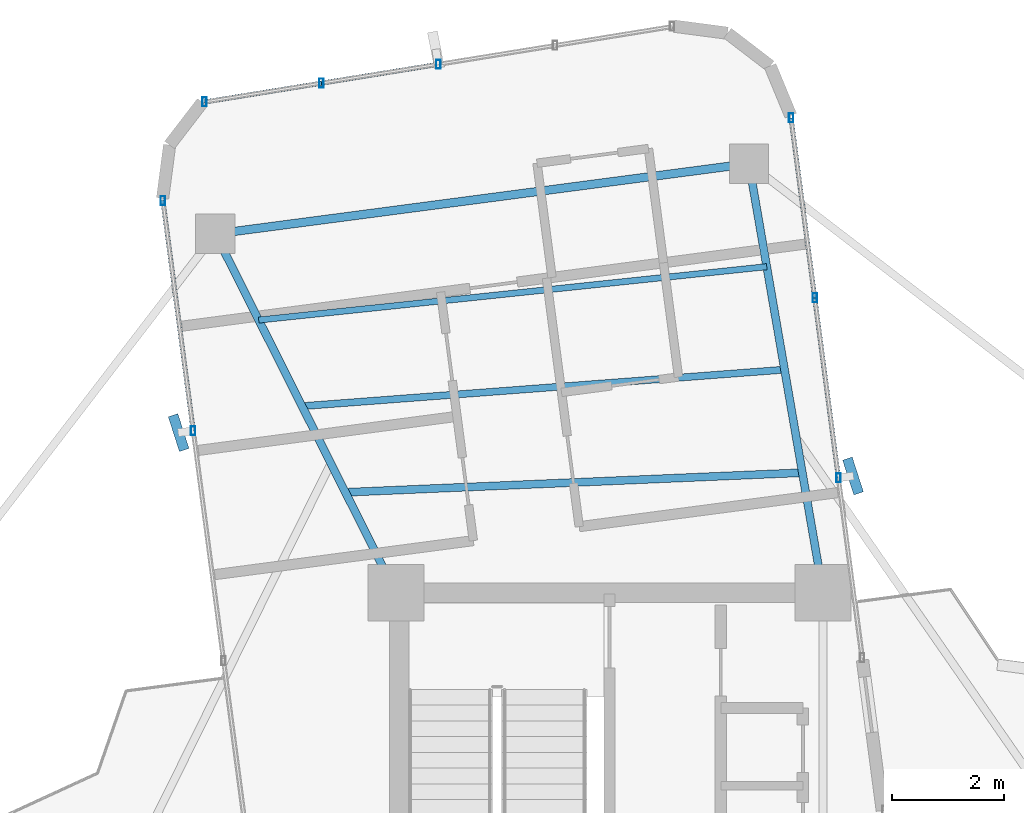
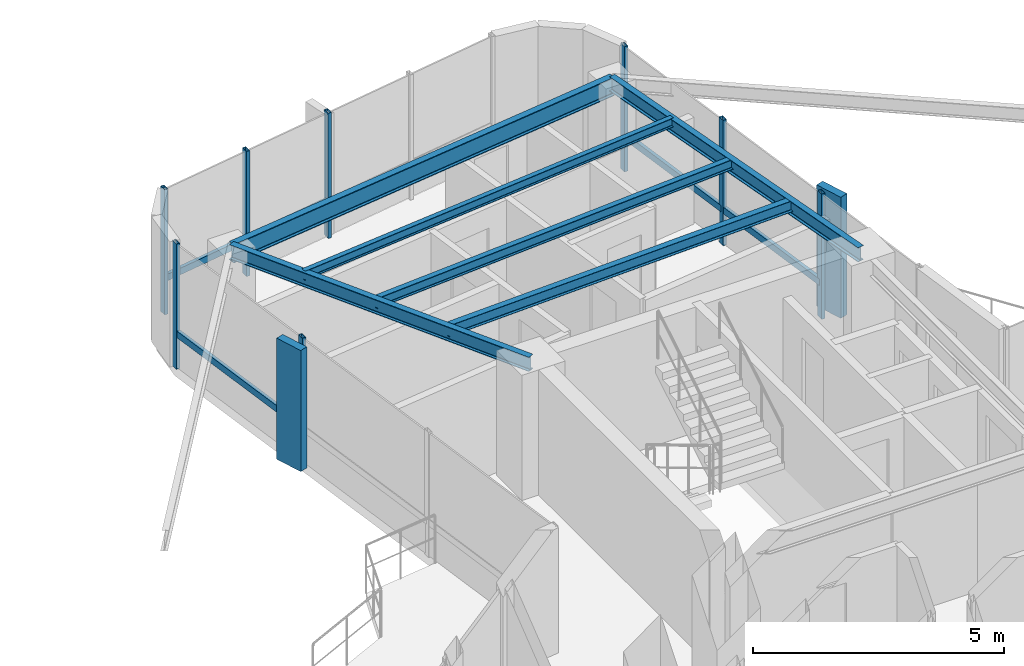
# One storey, part 14 of 23: 15 members, 6 beams, 3 elements without a shape of their own.
"""IFC4 building model written with IfcOpenShell, lengths in metres."""

from ifc_helpers import new_model, si_unit, direction, frame, origin, origin_2d, place, context, subcontext, project, spatial, rectangle, hollow_rectangle, i_section, extrude, source, transform, mapped, material, material_profile, profile_set, type_object, element, aggregate, save


model = new_model("IFC4")

# Units and contexts
model_context = context("Model", 3, precision=1e-05, world=origin(), true_north=direction((0.0, 1.0)))
body_context = subcontext(model_context, "Body", "Model", "MODEL_VIEW")
ifc_project = project(units=[si_unit("LENGTHUNIT", "METRE"), si_unit("AREAUNIT", "SQUARE_METRE"), si_unit("VOLUMEUNIT", "CUBIC_METRE"), si_unit("PLANEANGLEUNIT", "RADIAN"), si_unit("MASSUNIT", "GRAM", prefix="KILO")], contexts=[model_context])

# Site, building, storey
site_placement = place(None, origin())
site = spatial("IfcSite", under=ifc_project, at=site_placement, CompositionType="ELEMENT")
building_placement = place(site_placement, origin())
building = spatial("IfcBuilding", under=site, at=building_placement, Name="Sahyath Konkavel Grand Hotel", CompositionType="ELEMENT")
storey_placement = place(building_placement, frame((0.0, 0.0, 226.60009765625)))
storey = spatial("IfcBuildingStorey", under=building, at=storey_placement, Name="L63", CompositionType="ELEMENT", Elevation=226.60009765625)

# Beams
ifc_material_1 = material(Name="Steel E350", Category="steel")
ifc_material_profile_1 = material_profile(ifc_material_1, i_section(OverallWidth=0.139892578125, OverallDepth=0.35009765625, WebThickness=0.008056640625, FlangeThickness=0.01416015625, FilletRadius=0.013916015625, at=origin_2d()), Name="ISMB 350")
ifc_profile_set_1 = profile_set([ifc_material_profile_1], Name="Steel E350")
beam_type_1 = type_object("IfcBeamType", Name="BM-ISMB350", PredefinedType="BEAM", material=ifc_profile_set_1)
shared_shape_1 = source(origin(), body_context, "Body", "SweptSolid", [
    extrude(i_section(OverallWidth=0.139892578125, OverallDepth=0.35009765625, WebThickness=0.008056640625, FlangeThickness=0.01416015625, FilletRadius=0.013916015625, at=origin_2d()), origin(), (0.0, 0.0, 1.0), 7.74951171875),
])
beam_1_placement = place(storey_placement, frame((3.800048828125, 10.199951171875, 2.875), z_axis=(-0.170184370134, 0.985412238691, 0.0), x_axis=(-0.985412238691, -0.170184370134, 0.0)))
element("IfcBeam", 1, at=beam_1_placement, inside=storey, type_object=beam_type_1, Name="L63 Cruciform Radial Girder NA", PredefinedType="BEAM", context=body_context, shape_type="MappedRepresentation", body=[
    mapped(shared_shape_1, transform((0.0, 0.0, 0.0), scale=1.0)),
])
shared_shape_2 = source(origin(), body_context, "Body", "SweptSolid", [
    extrude(i_section(OverallWidth=0.139892578125, OverallDepth=0.35009765625, WebThickness=0.008056640625, FlangeThickness=0.01416015625, FilletRadius=0.013916015625, at=origin_2d()), origin(), (0.0, 0.0, 1.0), 7.149169921875),
])
beam_2_placement = place(storey_placement, frame((-3.800048828125, 10.199951171875, 2.875), z_axis=(-0.449411491325, 0.893324863342, 0.0), x_axis=(-0.893324863342, -0.449411491325, 0.0)))
element("IfcBeam", 2, at=beam_2_placement, inside=storey, type_object=beam_type_1, Name="L63 Cruciform Radial Girder NB", PredefinedType="BEAM", context=body_context, shape_type="MappedRepresentation", body=[
    mapped(shared_shape_2, transform((0.0, 0.0, 0.0), scale=1.0)),
])
ifc_material_profile_2 = material_profile(ifc_material_1, i_section(OverallWidth=0.14990234375, OverallDepth=0.449951171875, WebThickness=0.009521484375, FlangeThickness=0.017333984375, FilletRadius=0.014892578125, at=origin_2d()), Name="ISMB 450")
ifc_profile_set_2 = profile_set([ifc_material_profile_2], Name="Steel E350")
beam_type_2 = type_object("IfcBeamType", Name="BM-ISMB450", PredefinedType="BEAM", material=ifc_profile_set_2)
shared_shape_3 = source(origin(), body_context, "Body", "SweptSolid", [
    extrude(i_section(OverallWidth=0.14990234375, OverallDepth=0.449951171875, WebThickness=0.009521484375, FlangeThickness=0.017333984375, FilletRadius=0.014892578125, at=origin_2d()), origin(), (0.0, 0.0, 1.0), 9.576171875),
])
beam_3_placement = place(storey_placement, frame((2.481201171875, 17.83642578125, 2.824951171875), z_axis=(-0.991443879237, -0.13053365207, 0.0), x_axis=(0.13053365207, -0.991443879237, 0.0)))
element("IfcBeam", 3, at=beam_3_placement, inside=storey, type_object=beam_type_2, Name="L63 Wing Tip Edge Beam N", PredefinedType="BEAM", context=body_context, shape_type="MappedRepresentation", body=[
    mapped(shared_shape_3, transform((0.0, 0.0, 0.0), scale=1.0)),
])
ifc_material_profile_3 = material_profile(ifc_material_1, i_section(OverallWidth=0.139892578125, OverallDepth=0.27490234375, WebThickness=0.00634765625, FlangeThickness=0.0087890625, FilletRadius=0.012939453125, at=origin_2d()), Name="ISLB 275")
ifc_profile_set_3 = profile_set([ifc_material_profile_3], Name="Steel E350")
beam_type_3 = type_object("IfcBeamType", Name="BM-ISLB275", PredefinedType="BEAM", material=ifc_profile_set_3)
shared_shape_4 = source(origin(), body_context, "Body", "SweptSolid", [
    extrude(i_section(OverallWidth=0.139892578125, OverallDepth=0.27490234375, WebThickness=0.00634765625, FlangeThickness=0.0087890625, FilletRadius=0.012939453125, at=origin_2d()), origin(), (0.0, 0.0, 1.0), 8.137939453125),
])
beam_4_placement = place(storey_placement, frame((3.4306640625, 12.338134765625, 2.912353515625), z_axis=(-0.999075473951, -0.042990665851, 0.0), x_axis=(0.042990665851, -0.999075473951, 0.0)))
element("IfcBeam", 4, at=beam_4_placement, inside=storey, type_object=beam_type_3, Name="L63 Secondary Floor Beam N-1", PredefinedType="BEAM", context=body_context, shape_type="MappedRepresentation", body=[
    mapped(shared_shape_4, transform((0.0, 0.0, 0.0), scale=1.0)),
])
ifc_material_profile_4 = material_profile(ifc_material_1, i_section(OverallWidth=0.125, OverallDepth=0.25, WebThickness=0.0068359375, FlangeThickness=0.012451171875, FilletRadius=0.012939453125, at=origin_2d()), Name="ISMB 250")
ifc_profile_set_4 = profile_set([ifc_material_profile_4], Name="Steel E350")
beam_type_4 = type_object("IfcBeamType", Name="BM-ISMB250", PredefinedType="BEAM", material=ifc_profile_set_4)
shared_shape_5 = source(origin(), body_context, "Body", "SweptSolid", [
    extrude(i_section(OverallWidth=0.125, OverallDepth=0.25, WebThickness=0.0068359375, FlangeThickness=0.012451171875, FilletRadius=0.012939453125, at=origin_2d()), origin(), (0.0, 0.0, 1.0), 8.609619140625),
])
beam_5_placement = place(storey_placement, frame((3.1142578125, 14.1708984375, 2.9248046875), z_axis=(-0.997146829077, -0.075486430981, 0.0), x_axis=(0.075486430981, -0.997146829077, 0.0)))
element("IfcBeam", 5, at=beam_5_placement, inside=storey, type_object=beam_type_4, Name="L63 Secondary Floor Beam N-2", PredefinedType="BEAM", context=body_context, shape_type="MappedRepresentation", body=[
    mapped(shared_shape_5, transform((0.0, 0.0, 0.0), scale=1.0)),
])
ifc_material_profile_5 = material_profile(ifc_material_1, i_section(OverallWidth=0.110107421875, OverallDepth=0.22509765625, WebThickness=0.006591796875, FlangeThickness=0.01171875, FilletRadius=0.011962890625, at=origin_2d()), Name="ISMB 225")
ifc_profile_set_5 = profile_set([ifc_material_profile_5], Name="Steel E350")
beam_type_5 = type_object("IfcBeamType", Name="BM-ISMB225", PredefinedType="BEAM", material=ifc_profile_set_5)
shared_shape_6 = source(origin(), body_context, "Body", "SweptSolid", [
    extrude(i_section(OverallWidth=0.110107421875, OverallDepth=0.22509765625, WebThickness=0.006591796875, FlangeThickness=0.01171875, FilletRadius=0.011962890625, at=origin_2d()), origin(), (0.0, 0.0, 1.0), 9.08935546875),
])
beam_6_placement = place(storey_placement, frame((2.797607421875, 16.003662109375, 2.9375), z_axis=(-0.99452354105, -0.104512804468, 0.0), x_axis=(0.104512804468, -0.99452354105, 0.0)))
element("IfcBeam", 6, at=beam_6_placement, inside=storey, type_object=beam_type_5, Name="L63 Secondary Floor Beam N-3", PredefinedType="BEAM", context=body_context, shape_type="MappedRepresentation", body=[
    mapped(shared_shape_6, transform((0.0, 0.0, 0.0), scale=1.0)),
])

# Curtain wall, members
ifc_material_2 = material(Name="Anodised Bronze Aluminium & Low-E Glazing", Category="aluminium")
curtain_wall_type = type_object("IfcCurtainWallType", Name="CW-ZONE4", PredefinedType="NOTDEFINED", material=ifc_material_2)
curtain_wall_1_placement = place(storey_placement, origin())
curtain_wall_1 = element("IfcCurtainWall", 7, at=curtain_wall_1_placement, inside=storey, type_object=curtain_wall_type, Name="L63 Unitised Curtain Wall F8", PredefinedType="NOTDEFINED")
ifc_material_3 = material(Name="Anodised Bronze Aluminium", Category="aluminium")
ifc_material_profile_6 = material_profile(ifc_material_3, hollow_rectangle(XDim=0.080078125, YDim=0.159912109375, WallThickness=0.006103515625, at=origin_2d()), Name="RHS 160x80x6")
ifc_profile_set_6 = profile_set([ifc_material_profile_6], Name="Anodised Bronze Aluminium")
member_type_1 = type_object("IfcMemberType", Name="CW-MUL-160", PredefinedType="MULLION", material=ifc_profile_set_6)
shared_shape_7 = source(origin(), body_context, "Body", "SweptSolid", [
    extrude(hollow_rectangle(XDim=0.080078125, YDim=0.159912109375, WallThickness=0.006103515625, at=origin_2d()), origin(), (0.0, 0.0, 1.0), 3.0498046875),
])
member_1_placement = place(storey_placement, frame((4.07470703125, 12.245361328125, 0.0), z_axis=(0.0, 0.0, 1.0), x_axis=(1.0, 0.0, 0.0)))
member_1 = element("IfcMember", 8, at=member_1_placement, type_object=member_type_1, Name="L63 Curtain Wall Mullion F8-1", PredefinedType="MULLION", context=body_context, shape_type="MappedRepresentation", body=[
    mapped(shared_shape_7, transform((0.0, 0.0, 0.0), scale=1.0)),
])
member_2_placement = place(storey_placement, frame((3.65283203125, 15.4482421875, 0.0), z_axis=(0.0, 0.0, 1.0), x_axis=(1.0, 0.0, 0.0)))
member_2 = element("IfcMember", 9, at=member_2_placement, type_object=member_type_1, Name="L63 Curtain Wall Mullion F8-2", PredefinedType="MULLION", context=body_context, shape_type="MappedRepresentation", body=[
    mapped(shared_shape_7, transform((0.0, 0.0, 0.0), scale=1.0)),
])
member_3_placement = place(storey_placement, frame((3.231201171875, 18.6513671875, 0.0), z_axis=(0.0, 0.0, 1.0), x_axis=(1.0, 0.0, 0.0)))
member_3 = element("IfcMember", 10, at=member_3_placement, type_object=member_type_1, Name="L63 Curtain Wall Mullion F8-3", PredefinedType="MULLION", context=body_context, shape_type="MappedRepresentation", body=[
    mapped(shared_shape_7, transform((0.0, 0.0, 0.0), scale=1.0)),
])

curtain_wall_2_placement = place(storey_placement, origin())
curtain_wall_2 = element("IfcCurtainWall", 11, at=curtain_wall_2_placement, inside=storey, type_object=curtain_wall_type, Name="L63 Unitised Curtain Wall F12", PredefinedType="NOTDEFINED")
member_4_placement = place(storey_placement, frame((-3.047607421875, 19.60595703125, 0.0), z_axis=(0.0, 0.0, 1.0), x_axis=(1.0, 0.0, 0.0)))
member_4 = element("IfcMember", 12, at=member_4_placement, type_object=member_type_1, Name="L63 Curtain Wall Mullion F12-2", PredefinedType="MULLION", context=body_context, shape_type="MappedRepresentation", body=[
    mapped(shared_shape_7, transform((0.0, 0.0, 0.0), scale=1.0)),
])
member_5_placement = place(storey_placement, frame((-5.126953125, 19.270263671875, 0.0), z_axis=(0.0, 0.0, 1.0), x_axis=(1.0, 0.0, 0.0)))
member_5 = element("IfcMember", 13, at=member_5_placement, type_object=member_type_1, Name="L63 Curtain Wall Mullion F12-3", PredefinedType="MULLION", context=body_context, shape_type="MappedRepresentation", body=[
    mapped(shared_shape_7, transform((0.0, 0.0, 0.0), scale=1.0)),
])
member_6_placement = place(storey_placement, frame((-7.2060546875, 18.934814453125, 0.0), z_axis=(0.0, 0.0, 1.0), x_axis=(1.0, 0.0, 0.0)))
member_6 = element("IfcMember", 14, at=member_6_placement, type_object=member_type_1, Name="L63 Curtain Wall Mullion F12-4", PredefinedType="MULLION", context=body_context, shape_type="MappedRepresentation", body=[
    mapped(shared_shape_7, transform((0.0, 0.0, 0.0), scale=1.0)),
])

curtain_wall_3_placement = place(storey_placement, origin())
curtain_wall_3 = element("IfcCurtainWall", 15, at=curtain_wall_3_placement, inside=storey, type_object=curtain_wall_type, Name="L63 Unitised Curtain Wall F15", PredefinedType="NOTDEFINED")
member_7_placement = place(storey_placement, frame((-7.948486328125, 17.179443359375, 0.0), z_axis=(0.0, 0.0, 1.0), x_axis=(1.0, 0.0, 0.0)))
member_7 = element("IfcMember", 16, at=member_7_placement, type_object=member_type_1, Name="L63 Curtain Wall Mullion F15-0", PredefinedType="MULLION", context=body_context, shape_type="MappedRepresentation", body=[
    mapped(shared_shape_7, transform((0.0, 0.0, 0.0), scale=1.0)),
])
member_8_placement = place(storey_placement, frame((-7.4091796875, 13.084228515625, 0.0), z_axis=(0.0, 0.0, 1.0), x_axis=(1.0, 0.0, 0.0)))
member_8 = element("IfcMember", 17, at=member_8_placement, type_object=member_type_1, Name="L63 Curtain Wall Mullion F15-1", PredefinedType="MULLION", context=body_context, shape_type="MappedRepresentation", body=[
    mapped(shared_shape_7, transform((0.0, 0.0, 0.0), scale=1.0)),
])

# Member
ifc_material_4 = material(Name="Warm Buff Sandstone Cladding on Concrete C50/60", Category="masonry")
ifc_material_profile_7 = material_profile(ifc_material_4, rectangle(XDim=0.179931640625, YDim=0.64990234375, at=origin_2d()), Name="FIN 180x650")
ifc_profile_set_7 = profile_set([ifc_material_profile_7], Name="Warm Buff Sandstone Cladding on Concrete C50/60")
member_type_2 = type_object("IfcMemberType", Name="FIN-SANDSTONE-650", PredefinedType="MULLION", material=ifc_profile_set_7)
shared_shape_8 = source(origin(), body_context, "Body", "SweptSolid", [
    extrude(rectangle(XDim=0.179931640625, YDim=0.64990234375, at=origin_2d()), origin(), (0.0, 0.0, 1.0), 2.9501953125),
])
member_9_placement = place(storey_placement, frame((4.33251953125, 12.279296875, 0.0498046875), z_axis=(0.0, 0.0, 1.0), x_axis=(0.951808747363, 0.306692204733, 0.0)))
member_9 = element("IfcMember", 18, at=member_9_placement, type_object=member_type_2, Name="L63 Sandstone Vertical Solar Fin FIN F8-1", PredefinedType="MULLION", context=body_context, shape_type="MappedRepresentation", body=[
    mapped(shared_shape_8, transform((0.0, 0.0, 0.0), scale=1.0)),
])

member_10_placement = place(storey_placement, frame((-7.6669921875, 13.05029296875, 0.0498046875), z_axis=(0.0, 0.0, 1.0), x_axis=(0.951808747363, 0.306692204733, 0.0)))
member_10 = element("IfcMember", 19, at=member_10_placement, type_object=member_type_2, Name="L63 Sandstone Vertical Solar Fin FIN F15-1", PredefinedType="MULLION", context=body_context, shape_type="MappedRepresentation", body=[
    mapped(shared_shape_8, transform((0.0, 0.0, 0.0), scale=1.0)),
])

ifc_material_profile_8 = material_profile(ifc_material_3, hollow_rectangle(XDim=0.080078125, YDim=0.159912109375, WallThickness=0.006103515625, at=origin_2d()), Name="RHS 160x80x6")
ifc_profile_set_8 = profile_set([ifc_material_profile_8], Name="Anodised Bronze Aluminium")
member_type_3 = type_object("IfcMemberType", Name="CW-TRN-160", PredefinedType="USERDEFINED", material=ifc_profile_set_8)
shared_shape_9 = source(origin(), body_context, "Body", "SweptSolid", [
    extrude(hollow_rectangle(XDim=0.080078125, YDim=0.159912109375, WallThickness=0.006103515625, at=origin_2d()), origin(), (0.0, 0.0, 1.0), 3.230712890625),
])
member_11_placement = place(storey_placement, frame((3.65283203125, 15.4482421875, 0.849853515625), z_axis=(-0.130505336662, 0.991447606837, 0.0), x_axis=(-0.991447606837, -0.130505336662, 0.0)))
member_11 = element("IfcMember", 20, at=member_11_placement, type_object=member_type_3, Name="L63 Curtain Wall Transom F8-2-spandrel", ObjectType="TRANSOM", PredefinedType="USERDEFINED", context=body_context, shape_type="MappedRepresentation", body=[
    mapped(shared_shape_9, transform((0.0, 0.0, 0.0), scale=1.0)),
])

shared_shape_10 = source(origin(), body_context, "Body", "SweptSolid", [
    extrude(hollow_rectangle(XDim=0.080078125, YDim=0.159912109375, WallThickness=0.006103515625, at=origin_2d()), origin(), (0.0, 0.0, 1.0), 3.23046875),
])
member_12_placement = place(storey_placement, frame((4.07470703125, 12.245361328125, 0.849853515625), z_axis=(-0.130589399912, 0.991436537874, 0.0), x_axis=(-0.991436537874, -0.130589399912, 0.0)))
member_12 = element("IfcMember", 21, at=member_12_placement, type_object=member_type_3, Name="L63 Curtain Wall Transom F8-1-spandrel", ObjectType="TRANSOM", PredefinedType="USERDEFINED", context=body_context, shape_type="MappedRepresentation", body=[
    mapped(shared_shape_10, transform((0.0, 0.0, 0.0), scale=1.0)),
])

aggregate(curtain_wall_1, [member_1, member_9, member_2, member_3, member_12, member_11])

shared_shape_11 = source(origin(), body_context, "Body", "SweptSolid", [
    extrude(hollow_rectangle(XDim=0.080078125, YDim=0.159912109375, WallThickness=0.006103515625, at=origin_2d()), origin(), (0.0, 0.0, 1.0), 2.106201171875),
])
member_13_placement = place(storey_placement, frame((-3.047607421875, 19.60595703125, 0.849853515625), z_axis=(-0.987217598506, -0.159378208048, 0.0), x_axis=(0.159378208048, -0.987217598506, 0.0)))
member_13 = element("IfcMember", 22, at=member_13_placement, type_object=member_type_3, Name="L63 Curtain Wall Transom F12-2-spandrel", ObjectType="TRANSOM", PredefinedType="USERDEFINED", context=body_context, shape_type="MappedRepresentation", body=[
    mapped(shared_shape_11, transform((0.0, 0.0, 0.0), scale=1.0)),
])

shared_shape_12 = source(origin(), body_context, "Body", "SweptSolid", [
    extrude(hollow_rectangle(XDim=0.080078125, YDim=0.159912109375, WallThickness=0.006103515625, at=origin_2d()), origin(), (0.0, 0.0, 1.0), 2.10595703125),
])
member_14_placement = place(storey_placement, frame((-5.126953125, 19.270263671875, 0.849853515625), z_axis=(-0.987232889294, -0.159283465229, 0.0), x_axis=(0.159283465229, -0.987232889294, 0.0)))
member_14 = element("IfcMember", 23, at=member_14_placement, type_object=member_type_3, Name="L63 Curtain Wall Transom F12-3-spandrel", ObjectType="TRANSOM", PredefinedType="USERDEFINED", context=body_context, shape_type="MappedRepresentation", body=[
    mapped(shared_shape_12, transform((0.0, 0.0, 0.0), scale=1.0)),
])

aggregate(curtain_wall_2, [member_4, member_5, member_6, member_13, member_14])

shared_shape_13 = source(origin(), body_context, "Body", "SweptSolid", [
    extrude(hollow_rectangle(XDim=0.080078125, YDim=0.159912109375, WallThickness=0.006103515625, at=origin_2d()), origin(), (0.0, 0.0, 1.0), 4.130615234375),
])
member_15_placement = place(storey_placement, frame((-7.948486328125, 17.179443359375, 0.849853515625), z_axis=(0.130564595719, -0.991439804701, 0.0), x_axis=(0.991439804701, 0.130564595719, 0.0)))
member_15 = element("IfcMember", 24, at=member_15_placement, type_object=member_type_3, Name="L63 Curtain Wall Transom F15-0-spandrel", ObjectType="TRANSOM", PredefinedType="USERDEFINED", context=body_context, shape_type="MappedRepresentation", body=[
    mapped(shared_shape_13, transform((0.0, 0.0, 0.0), scale=1.0)),
])

aggregate(curtain_wall_3, [member_7, member_8, member_10, member_15])

save(model, "model.ifc")
